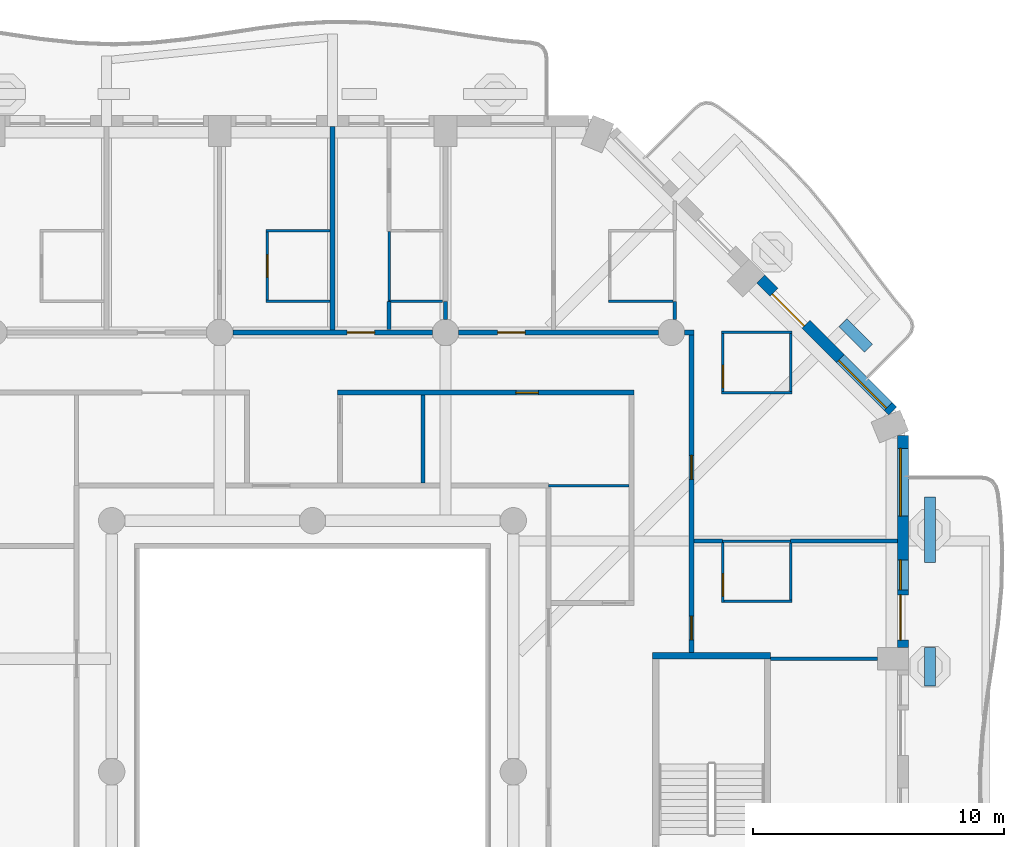
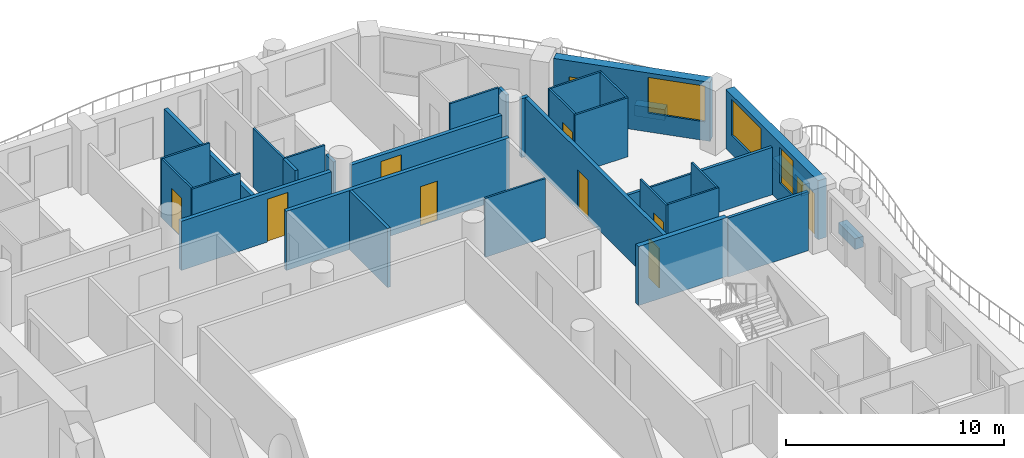
# One storey, part 9 of 20: 34 walls, 10 doors, 3 windows, 13 openings.
"""IFC4 building model written with IfcOpenShell, lengths in metres."""

from ifc_helpers import new_model, si_unit, direction, frame, frame_2d, origin, place, context, subcontext, project, spatial, rectangle, extrude, material, layer, layer_set, type_object, element, fill, save


model = new_model("IFC4")

# Units and contexts
model_context = context("Model", 3, precision=1e-05, world=origin(), true_north=direction((0.0, 1.0)))
body_context = subcontext(model_context, "Body", "Model", "MODEL_VIEW")
ifc_project = project(units=[si_unit("LENGTHUNIT", "METRE"), si_unit("AREAUNIT", "SQUARE_METRE"), si_unit("VOLUMEUNIT", "CUBIC_METRE"), si_unit("PLANEANGLEUNIT", "RADIAN"), si_unit("MASSUNIT", "GRAM", prefix="KILO")], contexts=[model_context])

# Site, building, storey
site_placement = place(None, origin())
site = spatial("IfcSite", under=ifc_project, at=site_placement, CompositionType="ELEMENT")
building_placement = place(site_placement, origin())
building = spatial("IfcBuilding", under=site, at=building_placement, Name="Cypress Arch Tower", CompositionType="ELEMENT")
storey_placement = place(building_placement, frame((0.0, 0.0, 131.10009765625)))
storey = spatial("IfcBuildingStorey", under=building, at=storey_placement, Name="L28", CompositionType="ELEMENT", Elevation=131.10009765625)

# Walls
ifc_material_1 = material(Name="Concrete C40/50, waterproofed", Category="concrete")
ifc_layer_1 = layer(ifc_material_1, 0.449951171875)
ifc_layer_set_1 = layer_set([ifc_layer_1], Name="Balcony planter wall PW450")
wall_type_1 = type_object("IfcWallType", Name="Balcony planter wall PW450", PredefinedType="SOLIDWALL", material=ifc_layer_set_1)
wall_1_placement = place(storey_placement, frame((25.60009765625, 3.42138671875, 0.0), z_axis=(0.0, 0.0, 1.0), x_axis=(0.0, 1.0, 0.0)))
element("IfcWall", 1, at=wall_1_placement, inside=storey, type_object=wall_type_1, Name="Balcony planter wall L28-A06.3", PredefinedType="SOLIDWALL", context=body_context, shape_type="SweptSolid", body=[
    extrude(rectangle(XDim=1.5224609375, YDim=0.449951171875, at=frame_2d((0.76123046875, 0.0))), origin(), (0.0, 0.0, 1.0), 0.599853515625),
])
wall_2_placement = place(storey_placement, frame((25.60009765625, 8.335693359375, 0.0), z_axis=(0.0, 0.0, 1.0), x_axis=(0.0, 1.0, 0.0)))
element("IfcWall", 2, at=wall_2_placement, inside=storey, type_object=wall_type_1, Name="Balcony planter wall L28-A06.4", PredefinedType="SOLIDWALL", context=body_context, shape_type="SweptSolid", body=[
    extrude(rectangle(XDim=2.6142578125, YDim=0.449951171875, at=frame_2d((1.30712890625, 0.0))), origin(), (0.0, 0.0, 1.0), 0.599853515625),
])
wall_3_placement = place(storey_placement, frame((23.150390625, 16.86376953125, 0.0), z_axis=(0.0, 0.0, 1.0), x_axis=(-0.707106781187, 0.707106781187, 0.0)))
element("IfcWall", 3, at=wall_3_placement, inside=storey, type_object=wall_type_1, Name="Balcony planter wall L28-A07.1", PredefinedType="SOLIDWALL", context=body_context, shape_type="SweptSolid", body=[
    extrude(rectangle(XDim=1.44482421875, YDim=0.449951171875, at=frame_2d((0.722412109375, 0.0))), origin(), (0.0, 0.0, 1.0), 0.599853515625),
])

# Wall, openings, door, windows
ifc_material_2 = material(Name="Brick (red buff blend)", Category="masonry")
ifc_layer_2 = layer(ifc_material_2, 0.449951171875)
ifc_layer_set_2 = layer_set([ifc_layer_2], Name="Brick pier and spandrel wall BW450")
wall_type_2 = type_object("IfcWallType", Name="Brick pier and spandrel wall BW450", PredefinedType="SOLIDWALL", material=ifc_layer_set_2)
wall_4_placement = place(storey_placement, frame((24.52490234375, 4.949951171875, 0.0), z_axis=(0.0, 0.0, 1.0), x_axis=(0.0, 1.0, 0.0)))
wall_4 = element("IfcWall", 4, at=wall_4_placement, inside=storey, type_object=wall_type_2, Name="Brick wall L28 A06.3", PredefinedType="SOLIDWALL", context=body_context, shape_type="SweptSolid", body=[
    extrude(rectangle(XDim=8.438720703125, YDim=0.449951171875, at=frame_2d((4.21923828125, 0.0))), origin(), (0.0, 0.0, 1.0), 3.2998046875),
])
opening_1_placement = place(wall_4_placement, frame((0.2939453125, 0.0, 0.0)))
opening_1 = element("IfcOpeningElement", 5, at=opening_1_placement, cuts=wall_4, Name="Opening D-L28-A06.3.1", PredefinedType="OPENING", context=body_context, shape_type="SweptSolid", body=[
    extrude(rectangle(XDim=1.800048828125, YDim=2.39990234375, at=frame_2d((0.89990234375, 1.199951171875))), frame((0.0, 0.23486328125, 0.0), z_axis=(0.0, -1.0, 0.0), x_axis=(1.0, 0.0, 0.0)), (0.0, 0.0, 1.0), 0.469970703125),
])
opening_2_placement = place(wall_4_placement, frame((2.2939453125, 0.0, 1.050048828125)))
opening_2 = element("IfcOpeningElement", 6, at=opening_2_placement, cuts=wall_4, Name="Opening W120HD", PredefinedType="OPENING", context=body_context, shape_type="SweptSolid", body=[
    extrude(rectangle(XDim=1.199951171875, YDim=2.0, at=frame_2d((0.60009765625, 1.0))), frame((0.0, 0.23486328125, 0.0), z_axis=(0.0, -1.0, 0.0), x_axis=(1.0, 0.0, 0.0)), (0.0, 0.0, 1.0), 0.469970703125),
])
opening_3_placement = place(wall_4_placement, frame((5.231689453125, 0.0, 1.050048828125)))
opening_3 = element("IfcOpeningElement", 7, at=opening_3_placement, cuts=wall_4, Name="Opening W270HD", PredefinedType="OPENING", context=body_context, shape_type="SweptSolid", body=[
    extrude(rectangle(XDim=2.699951171875, YDim=2.0, at=frame_2d((1.35009765625, 1.0))), frame((0.0, 0.23486328125, 0.0), z_axis=(0.0, -1.0, 0.0), x_axis=(1.0, 0.0, 0.0)), (0.0, 0.0, 1.0), 0.469970703125),
])
ifc_material_3 = material(Name="Anodised aluminium, bronze finish, laminated low-emissivity double glazing, large-missile impact rated", Category="aluminium")
door_type_1 = type_object("IfcDoorType", Name="Balcony sliding door 1800x2400", OperationType="SLIDING_TO_LEFT", PredefinedType="DOOR", material=ifc_material_3)
door_1_placement = place(opening_1_placement, origin())
door_1 = element("IfcDoor", 8, at=door_1_placement, inside=storey, type_object=door_type_1, Name="Balcony door L28 A06.3.1", OperationType="SLIDING_TO_LEFT", OverallHeight=2.39990234375, OverallWidth=1.800048828125, PredefinedType="DOOR", context=body_context, shape_type="SweptSolid", body=[
    extrude(rectangle(XDim=1.800048828125, YDim=2.39990234375, at=frame_2d((0.89990234375, 1.199951171875))), frame((0.0, 0.1298828125, 0.0), z_axis=(0.0, -1.0, 0.0), x_axis=(1.0, 0.0, 0.0)), (0.0, 0.0, 1.0), 0.050048828125),
])
fill(opening_1, door_1)
ifc_material_4 = material(Name="Anodised aluminium, bronze finish, laminated low-emissivity double glazing, large-missile impact rated", Category="aluminium")
window_type_1 = type_object("IfcWindowType", Name="Window Hotel 1200x2000 debris-rated", PartitioningType="SINGLE_PANEL", PredefinedType="WINDOW", material=ifc_material_4)
window_1_placement = place(opening_2_placement, origin())
window_1 = element("IfcWindow", 9, at=window_1_placement, inside=storey, type_object=window_type_1, Name="Window L28 A06.3.1", OverallHeight=2.0, OverallWidth=1.199951171875, PartitioningType="SINGLE_PANEL", PredefinedType="WINDOW", context=body_context, shape_type="SweptSolid", body=[
    extrude(rectangle(XDim=1.199951171875, YDim=2.0, at=frame_2d((0.60009765625, 1.0))), frame((0.0, 0.135009765625, 0.0), z_axis=(0.0, -1.0, 0.0), x_axis=(1.0, 0.0, 0.0)), (0.0, 0.0, 1.0), 0.06005859375),
])
fill(opening_2, window_1)
ifc_material_5 = material(Name="Anodised aluminium, bronze finish, laminated low-emissivity double glazing, large-missile impact rated", Category="aluminium")
window_type_2 = type_object("IfcWindowType", Name="Window Hotel 2700x2000 debris-rated", PartitioningType="SINGLE_PANEL", PredefinedType="WINDOW", material=ifc_material_5)
window_2_placement = place(opening_3_placement, origin())
window_2 = element("IfcWindow", 10, at=window_2_placement, inside=storey, type_object=window_type_2, Name="Window L28 A06.3.2", OverallHeight=2.0, OverallWidth=2.699951171875, PartitioningType="SINGLE_PANEL", PredefinedType="WINDOW", context=body_context, shape_type="SweptSolid", body=[
    extrude(rectangle(XDim=2.699951171875, YDim=2.0, at=frame_2d((1.35009765625, 1.0))), frame((0.0, 0.135009765625, 0.0), z_axis=(0.0, -1.0, 0.0), x_axis=(1.0, 0.0, 0.0)), (0.0, 0.0, 1.0), 0.06005859375),
])
fill(opening_3, window_2)

# Wall, openings, door, window
wall_5_placement = place(storey_placement, frame((24.11474609375, 14.379150390625, 0.0), z_axis=(0.0, 0.0, 1.0), x_axis=(-0.707106781187, 0.707106781187, 0.0)))
wall_5 = element("IfcWall", 11, at=wall_5_placement, inside=storey, type_object=wall_type_2, Name="Brick wall L28 A07.0", PredefinedType="SOLIDWALL", context=body_context, shape_type="SweptSolid", body=[
    extrude(rectangle(XDim=7.423828125, YDim=0.449951171875, at=frame_2d((3.7119140625, 0.0))), origin(), (0.0, 0.0, 1.0), 3.2998046875),
])
opening_4_placement = place(wall_5_placement, frame((0.253173828125, 0.0, 1.050048828125)))
opening_4 = element("IfcOpeningElement", 12, at=opening_4_placement, cuts=wall_5, Name="Opening W270HD", PredefinedType="OPENING", context=body_context, shape_type="SweptSolid", body=[
    extrude(rectangle(XDim=2.699951171875, YDim=2.0, at=frame_2d((1.35009765625, 1.0))), frame((0.0, 0.23486328125, 0.0), z_axis=(0.0, -1.0, 0.0), x_axis=(1.0, 0.0, 0.0)), (0.0, 0.0, 1.0), 0.469970703125),
])
opening_5_placement = place(wall_5_placement, frame((4.8837890625, 0.0, 0.0)))
opening_5 = element("IfcOpeningElement", 13, at=opening_5_placement, cuts=wall_5, Name="Opening D-L28-A07.0.2", PredefinedType="OPENING", context=body_context, shape_type="SweptSolid", body=[
    extrude(rectangle(XDim=1.800048828125, YDim=2.39990234375, at=frame_2d((0.89990234375, 1.199951171875))), frame((0.0, 0.23486328125, 0.0), z_axis=(0.0, -1.0, 0.0), x_axis=(1.0, 0.0, 0.0)), (0.0, 0.0, 1.0), 0.469970703125),
])
door_2_placement = place(opening_5_placement, origin())
door_2 = element("IfcDoor", 14, at=door_2_placement, inside=storey, type_object=door_type_1, Name="Balcony door L28 A07.0.2", OperationType="SLIDING_TO_LEFT", OverallHeight=2.39990234375, OverallWidth=1.800048828125, PredefinedType="DOOR", context=body_context, shape_type="SweptSolid", body=[
    extrude(rectangle(XDim=1.800048828125, YDim=2.39990234375, at=frame_2d((0.89990234375, 1.199951171875))), frame((0.0, 0.1298828125, 0.0), z_axis=(0.0, -1.0, 0.0), x_axis=(1.0, 0.0, 0.0)), (0.0, 0.0, 1.0), 0.050048828125),
])
fill(opening_5, door_2)
window_3_placement = place(opening_4_placement, origin())
window_3 = element("IfcWindow", 15, at=window_3_placement, inside=storey, type_object=window_type_2, Name="Window L28 A07.0.1", OverallHeight=2.0, OverallWidth=2.699951171875, PartitioningType="SINGLE_PANEL", PredefinedType="WINDOW", context=body_context, shape_type="SweptSolid", body=[
    extrude(rectangle(XDim=2.699951171875, YDim=2.0, at=frame_2d((1.35009765625, 1.0))), frame((0.0, 0.135009765625, 0.0), z_axis=(0.0, -1.0, 0.0), x_axis=(1.0, 0.0, 0.0)), (0.0, 0.0, 1.0), 0.06005859375),
])
fill(opening_4, window_3)

# Wall, opening, door
ifc_material_6 = material(Name="Concrete blockwork, plastered, rated", Category="masonry")
ifc_layer_3 = layer(ifc_material_6, 0.199951171875)
ifc_layer_set_3 = layer_set([ifc_layer_3], Name="Corridor wall FW200")
wall_type_3 = type_object("IfcWallType", Name="Corridor wall FW200", PredefinedType="PARTITIONING", material=ifc_layer_set_3)
wall_6_placement = place(storey_placement, frame((-2.175048828125, 17.5, 0.0), z_axis=(0.0, 0.0, 1.0), x_axis=(1.0, 0.0, 0.0)))
wall_6 = element("IfcWall", 16, at=wall_6_placement, inside=storey, type_object=wall_type_3, Name="Corridor wall", PredefinedType="PARTITIONING", context=body_context, shape_type="SweptSolid", body=[
    extrude(rectangle(XDim=7.949951171875, YDim=0.199951171875, at=frame_2d((3.97509765625, 0.0))), origin(), (0.0, 0.0, 1.0), 2.75),
])
opening_6_placement = place(wall_6_placement, frame((4.550048828125, 0.0, 0.0)))
opening_6 = element("IfcOpeningElement", 17, at=opening_6_placement, cuts=wall_6, Name="Opening D01", PredefinedType="OPENING", context=body_context, shape_type="SweptSolid", body=[
    extrude(rectangle(XDim=1.10009765625, YDim=2.39990234375, at=frame_2d((0.550048828125, 1.199951171875))), frame((0.0, 0.10986328125, 0.0), z_axis=(0.0, -1.0, 0.0), x_axis=(1.0, 0.0, 0.0)), (0.0, 0.0, 1.0), 0.219970703125),
])
ifc_material_7 = material(Name="Timber flush door, fire resisting, self-closing", Category="wood")
door_type_2 = type_object("IfcDoorType", Name="Unit entrance door D01 1100x2400", OperationType="SINGLE_SWING_LEFT", PredefinedType="DOOR", material=ifc_material_7)
door_3_placement = place(opening_6_placement, origin())
door_3 = element("IfcDoor", 18, at=door_3_placement, inside=storey, type_object=door_type_2, Name="Unit entrance door", OperationType="SINGLE_SWING_LEFT", OverallHeight=2.39990234375, OverallWidth=1.10009765625, PredefinedType="DOOR", context=body_context, shape_type="SweptSolid", body=[
    extrude(rectangle(XDim=1.10009765625, YDim=2.39990234375, at=frame_2d((0.550048828125, 1.199951171875))), frame((0.0, 0.02490234375, 0.0), z_axis=(0.0, -1.0, 0.0), x_axis=(1.0, 0.0, 0.0)), (0.0, 0.0, 1.0), 0.050048828125),
])
fill(opening_6, door_3)

wall_7_placement = place(storey_placement, frame((6.824951171875, 17.5, 0.0), z_axis=(0.0, 0.0, 1.0), x_axis=(1.0, 0.0, 0.0)))
wall_7 = element("IfcWall", 19, at=wall_7_placement, inside=storey, type_object=wall_type_3, Name="Corridor wall", PredefinedType="PARTITIONING", context=body_context, shape_type="SweptSolid", body=[
    extrude(rectangle(XDim=7.949951171875, YDim=0.199951171875, at=frame_2d((3.97509765625, 0.0))), origin(), (0.0, 0.0, 1.0), 2.75),
])
opening_7_placement = place(wall_7_placement, frame((1.550048828125, 0.0, 0.0)))
opening_7 = element("IfcOpeningElement", 20, at=opening_7_placement, cuts=wall_7, Name="Opening D01", PredefinedType="OPENING", context=body_context, shape_type="SweptSolid", body=[
    extrude(rectangle(XDim=1.10009765625, YDim=2.39990234375, at=frame_2d((0.550048828125, 1.199951171875))), frame((0.0, 0.10986328125, 0.0), z_axis=(0.0, -1.0, 0.0), x_axis=(1.0, 0.0, 0.0)), (0.0, 0.0, 1.0), 0.219970703125),
])
door_4_placement = place(opening_7_placement, origin())
door_4 = element("IfcDoor", 21, at=door_4_placement, inside=storey, type_object=door_type_2, Name="Unit entrance door", OperationType="SINGLE_SWING_RIGHT", OverallHeight=2.39990234375, OverallWidth=1.10009765625, PredefinedType="DOOR", context=body_context, shape_type="SweptSolid", body=[
    extrude(rectangle(XDim=1.10009765625, YDim=2.39990234375, at=frame_2d((0.550048828125, 1.199951171875))), frame((0.0, 0.02490234375, 0.0), z_axis=(0.0, -1.0, 0.0), x_axis=(1.0, 0.0, 0.0)), (0.0, 0.0, 1.0), 0.050048828125),
])
fill(opening_7, door_4)

# Wall
wall_8_placement = place(storey_placement, frame((15.824951171875, 17.5, 0.0), z_axis=(0.0, 0.0, 1.0), x_axis=(1.0, 0.0, 0.0)))
element("IfcWall", 22, at=wall_8_placement, inside=storey, type_object=wall_type_3, Name="Corridor wall", PredefinedType="PARTITIONING", context=body_context, shape_type="SweptSolid", body=[
    extrude(rectangle(XDim=0.375, YDim=0.199951171875, at=frame_2d((0.1875, 0.0))), origin(), (0.0, 0.0, 1.0), 3.2998046875),
])

# Wall, opening, door
wall_9_placement = place(storey_placement, frame((2.0, 15.10009765625, 0.0), z_axis=(0.0, 0.0, 1.0), x_axis=(1.0, 0.0, 0.0)))
wall_9 = element("IfcWall", 23, at=wall_9_placement, inside=storey, type_object=wall_type_3, Name="Corridor wall", PredefinedType="PARTITIONING", context=body_context, shape_type="SweptSolid", body=[
    extrude(rectangle(XDim=11.800048828125, YDim=0.199951171875, at=frame_2d((5.89990234375, 0.0))), origin(), (0.0, 0.0, 1.0), 3.2998046875),
])
opening_8_placement = place(wall_9_placement, frame((7.10009765625, 0.0, 0.0)))
opening_8 = element("IfcOpeningElement", 24, at=opening_8_placement, cuts=wall_9, Name="Opening D05", PredefinedType="OPENING", context=body_context, shape_type="SweptSolid", body=[
    extrude(rectangle(XDim=0.89990234375, YDim=2.199951171875, at=frame_2d((0.449951171875, 1.10009765625))), frame((0.0, 0.10986328125, 0.0), z_axis=(0.0, -1.0, 0.0), x_axis=(1.0, 0.0, 0.0)), (0.0, 0.0, 1.0), 0.219970703125),
])
ifc_material_8 = material(Name="Timber flush door", Category="wood")
door_type_3 = type_object("IfcDoorType", Name="Service door D05 900x2200", OperationType="SINGLE_SWING_LEFT", PredefinedType="DOOR", material=ifc_material_8)
door_5_placement = place(opening_8_placement, origin())
door_5 = element("IfcDoor", 25, at=door_5_placement, inside=storey, type_object=door_type_3, Name="Service door", OperationType="SINGLE_SWING_LEFT", OverallHeight=2.199951171875, OverallWidth=0.89990234375, PredefinedType="DOOR", context=body_context, shape_type="SweptSolid", body=[
    extrude(rectangle(XDim=0.89990234375, YDim=2.199951171875, at=frame_2d((0.449951171875, 1.10009765625))), frame((0.0, 0.02490234375, 0.0), z_axis=(0.0, -1.0, 0.0), x_axis=(1.0, 0.0, 0.0)), (0.0, 0.0, 1.0), 0.050048828125),
])
fill(opening_8, door_5)

# Wall, openings, doors
wall_10_placement = place(storey_placement, frame((16.10009765625, 4.75, 0.0), z_axis=(0.0, 0.0, 1.0), x_axis=(0.0, 1.0, 0.0)))
wall_10 = element("IfcWall", 26, at=wall_10_placement, inside=storey, type_object=wall_type_3, Name="Corridor wall", PredefinedType="PARTITIONING", context=body_context, shape_type="SweptSolid", body=[
    extrude(rectangle(XDim=12.64990234375, YDim=0.199951171875, at=frame_2d((6.324951171875, 0.0))), origin(), (0.0, 0.0, 1.0), 3.2998046875),
])
opening_9_placement = place(wall_10_placement, frame((0.5, 0.0, 0.0)))
opening_9 = element("IfcOpeningElement", 27, at=opening_9_placement, cuts=wall_10, Name="Opening D02", PredefinedType="OPENING", context=body_context, shape_type="SweptSolid", body=[
    extrude(rectangle(XDim=0.949951171875, YDim=2.199951171875, at=frame_2d((0.47509765625, 1.10009765625))), frame((0.0, 0.10986328125, 0.0), z_axis=(0.0, -1.0, 0.0), x_axis=(1.0, 0.0, 0.0)), (0.0, 0.0, 1.0), 0.219970703125),
])
opening_10_placement = place(wall_10_placement, frame((6.89990234375, 0.0, 0.0)))
opening_10 = element("IfcOpeningElement", 28, at=opening_10_placement, cuts=wall_10, Name="Opening D02", PredefinedType="OPENING", context=body_context, shape_type="SweptSolid", body=[
    extrude(rectangle(XDim=0.949951171875, YDim=2.199951171875, at=frame_2d((0.47509765625, 1.10009765625))), frame((0.0, 0.10986328125, 0.0), z_axis=(0.0, -1.0, 0.0), x_axis=(1.0, 0.0, 0.0)), (0.0, 0.0, 1.0), 0.219970703125),
])
ifc_material_9 = material(Name="Timber flush door, fire resisting", Category="wood")
door_type_4 = type_object("IfcDoorType", Name="Room door D02 950x2200", OperationType="SINGLE_SWING_LEFT", PredefinedType="DOOR", material=ifc_material_9)
door_6_placement = place(opening_9_placement, origin())
door_6 = element("IfcDoor", 29, at=door_6_placement, inside=storey, type_object=door_type_4, Name="Room door", OperationType="SINGLE_SWING_RIGHT", OverallHeight=2.199951171875, OverallWidth=0.949951171875, PredefinedType="DOOR", context=body_context, shape_type="SweptSolid", body=[
    extrude(rectangle(XDim=0.949951171875, YDim=2.199951171875, at=frame_2d((0.47509765625, 1.10009765625))), frame((0.0, 0.02490234375, 0.0), z_axis=(0.0, -1.0, 0.0), x_axis=(1.0, 0.0, 0.0)), (0.0, 0.0, 1.0), 0.050048828125),
])
fill(opening_9, door_6)
door_7_placement = place(opening_10_placement, origin())
door_7 = element("IfcDoor", 30, at=door_7_placement, inside=storey, type_object=door_type_4, Name="Room door", OperationType="SINGLE_SWING_RIGHT", OverallHeight=2.199951171875, OverallWidth=0.949951171875, PredefinedType="DOOR", context=body_context, shape_type="SweptSolid", body=[
    extrude(rectangle(XDim=0.949951171875, YDim=2.199951171875, at=frame_2d((0.47509765625, 1.10009765625))), frame((0.0, 0.02490234375, 0.0), z_axis=(0.0, -1.0, 0.0), x_axis=(1.0, 0.0, 0.0)), (0.0, 0.0, 1.0), 0.050048828125),
])
fill(opening_10, door_7)

# Walls
ifc_material_10 = material(Name="Blockwork, plastered both sides", Category="masonry")
ifc_layer_4 = layer(ifc_material_10, 0.14990234375)
ifc_layer_set_4 = layer_set([ifc_layer_4], Name="Partition PW150")
wall_type_4 = type_object("IfcWallType", Name="Partition PW150", PredefinedType="PARTITIONING", material=ifc_layer_set_4)
wall_11_placement = place(storey_placement, frame((4.050048828125, 17.6201171875, 0.0), z_axis=(0.0, 0.0, 1.0), x_axis=(0.0, 1.0, 0.0)))
element("IfcWall", 31, at=wall_11_placement, inside=storey, type_object=wall_type_4, Name="Partition", PredefinedType="PARTITIONING", context=body_context, shape_type="SweptSolid", body=[
    extrude(rectangle(XDim=1.10986328125, YDim=0.14990234375, at=frame_2d((0.554931640625, 0.0))), origin(), (0.0, 0.0, 1.0), 3.2998046875),
])
wall_12_placement = place(storey_placement, frame((5.39990234375, 11.5, 0.0), z_axis=(0.0, 0.0, 1.0), x_axis=(0.0, 1.0, 0.0)))
element("IfcWall", 32, at=wall_12_placement, inside=storey, type_object=wall_type_4, Name="Partition", PredefinedType="PARTITIONING", context=body_context, shape_type="SweptSolid", body=[
    extrude(rectangle(XDim=3.5, YDim=0.14990234375, at=frame_2d((1.75, 0.0))), origin(), (0.0, 0.0, 1.0), 3.2998046875),
])
wall_13_placement = place(storey_placement, frame((6.300048828125, 18.02490234375, 0.0), z_axis=(0.0, 0.0, 1.0), x_axis=(0.0, 1.0, 0.0)))
element("IfcWall", 33, at=wall_13_placement, inside=storey, type_object=wall_type_4, Name="Partition", PredefinedType="PARTITIONING", context=body_context, shape_type="SweptSolid", body=[
    extrude(rectangle(XDim=0.705078125, YDim=0.14990234375, at=frame_2d((0.3525390625, 0.0))), origin(), (0.0, 0.0, 1.0), 2.75),
])
wall_14_placement = place(storey_placement, frame((15.431884765625, 18.015869140625, 0.0), z_axis=(0.0, 0.0, 1.0), x_axis=(0.0, 1.0, 0.0)))
element("IfcWall", 34, at=wall_14_placement, inside=storey, type_object=wall_type_4, Name="Partition", PredefinedType="PARTITIONING", context=body_context, shape_type="SweptSolid", body=[
    extrude(rectangle(XDim=0.714111328125, YDim=0.14990234375, at=frame_2d((0.35693359375, 0.0))), origin(), (0.0, 0.0, 1.0), 3.2998046875),
])
wall_15_placement = place(storey_placement, frame((16.199951171875, 9.18994140625, 0.0), z_axis=(0.0, 0.0, 1.0), x_axis=(1.0, 0.0, 0.0)))
element("IfcWall", 35, at=wall_15_placement, inside=storey, type_object=wall_type_4, Name="Partition", PredefinedType="PARTITIONING", context=body_context, shape_type="SweptSolid", body=[
    extrude(rectangle(XDim=1.130126953125, YDim=0.14990234375, at=frame_2d((0.56494140625, 0.0))), origin(), (0.0, 0.0, 1.0), 2.64990234375),
])
wall_16_placement = place(storey_placement, frame((19.25, 4.5, 0.0), z_axis=(0.0, 0.0, 1.0), x_axis=(1.0, 0.0, 0.0)))
element("IfcWall", 36, at=wall_16_placement, inside=storey, type_object=wall_type_4, Name="Partition", PredefinedType="PARTITIONING", context=body_context, shape_type="SweptSolid", body=[
    extrude(rectangle(XDim=4.25, YDim=0.14990234375, at=frame_2d((2.125, 0.0))), origin(), (0.0, 0.0, 1.0), 3.2998046875),
])
wall_17_placement = place(storey_placement, frame((20.050048828125, 9.18994140625, 0.0), z_axis=(0.0, 0.0, 1.0), x_axis=(1.0, 0.0, 0.0)))
element("IfcWall", 37, at=wall_17_placement, inside=storey, type_object=wall_type_4, Name="Partition", PredefinedType="PARTITIONING", context=body_context, shape_type="SweptSolid", body=[
    extrude(rectangle(XDim=4.25, YDim=0.14990234375, at=frame_2d((2.125, 0.0))), origin(), (0.0, 0.0, 1.0), 2.64990234375),
])
ifc_material_11 = material(Name="Dense blockwork, plastered both sides, acoustic and rated", Category="masonry")
ifc_layer_5 = layer(ifc_material_11, 0.199951171875)
ifc_layer_set_5 = layer_set([ifc_layer_5], Name="Party wall PW200")
wall_type_5 = type_object("IfcWallType", Name="Party wall PW200", PredefinedType="PARTITIONING", material=ifc_layer_set_5)
wall_18_placement = place(storey_placement, frame((1.800048828125, 17.60009765625, 0.0), z_axis=(0.0, 0.0, 1.0), x_axis=(0.0, 1.0, 0.0)))
element("IfcWall", 38, at=wall_18_placement, inside=storey, type_object=wall_type_5, Name="Party wall", PredefinedType="PARTITIONING", context=body_context, shape_type="SweptSolid", body=[
    extrude(rectangle(XDim=8.099853515625, YDim=0.199951171875, at=frame_2d((4.0498046875, 0.0))), origin(), (0.0, 0.0, 1.0), 2.64990234375),
])
ifc_material_12 = material(Name="Concrete C50/60", Category="concrete")
ifc_layer_6 = layer(ifc_material_12, 0.25)
ifc_layer_set_6 = layer_set([ifc_layer_6], Name="Stair enclosure wall SW250")
wall_type_6 = type_object("IfcWallType", Name="Stair enclosure wall SW250", PredefinedType="SHEAR", material=ifc_layer_set_6)
wall_19_placement = place(storey_placement, frame((14.550048828125, 4.625, 0.0), z_axis=(0.0, 0.0, 1.0), x_axis=(1.0, 0.0, 0.0)))
element("IfcWall", 39, at=wall_19_placement, inside=storey, type_object=wall_type_6, Name="Stair enclosure wall", PredefinedType="SHEAR", context=body_context, shape_type="SweptSolid", body=[
    extrude(rectangle(XDim=4.699951171875, YDim=0.25, at=frame_2d((2.35009765625, 0.0))), origin(), (0.0, 0.0, 1.0), 3.2998046875),
])

# Wall, opening, door
ifc_material_13 = material(Name="Moisture resistant board on steel studs, tiled", Category="steel")
ifc_layer_7 = layer(ifc_material_13, 0.10009765625)
ifc_layer_set_7 = layer_set([ifc_layer_7], Name="Wet wall PW100")
wall_type_7 = type_object("IfcWallType", Name="Wet wall PW100", PredefinedType="PARTITIONING", material=ifc_layer_set_7)
wall_20_placement = place(storey_placement, frame((-0.7958984375, 18.800048828125, 0.0), z_axis=(0.0, 0.0, 1.0), x_axis=(0.0, 1.0, 0.0)))
wall_20 = element("IfcWall", 40, at=wall_20_placement, inside=storey, type_object=wall_type_7, Name="Wet wall", PredefinedType="PARTITIONING", context=body_context, shape_type="SweptSolid", body=[
    extrude(rectangle(XDim=2.699951171875, YDim=0.10009765625, at=frame_2d((1.35009765625, 0.0))), origin(), (0.0, 0.0, 1.0), 3.2998046875),
])
opening_11_placement = place(wall_20_placement, frame((0.89990234375, 0.0, 0.0)))
opening_11 = element("IfcOpeningElement", 41, at=opening_11_placement, cuts=wall_20, Name="Opening D03", PredefinedType="OPENING", context=body_context, shape_type="SweptSolid", body=[
    extrude(rectangle(XDim=0.89990234375, YDim=2.199951171875, at=frame_2d((0.449951171875, 1.10009765625))), frame((0.0, 0.06005859375, 0.0), z_axis=(0.0, -1.0, 0.0), x_axis=(1.0, 0.0, 0.0)), (0.0, 0.0, 1.0), 0.1201171875),
])
ifc_material_14 = material(Name="Timber flush door, moisture resistant", Category="wood")
door_type_5 = type_object("IfcDoorType", Name="Bathroom door D03 900x2200", OperationType="SINGLE_SWING_LEFT", PredefinedType="DOOR", material=ifc_material_14)
door_8_placement = place(opening_11_placement, origin())
door_8 = element("IfcDoor", 42, at=door_8_placement, inside=storey, type_object=door_type_5, Name="Bathroom door", OperationType="SINGLE_SWING_LEFT", OverallHeight=2.199951171875, OverallWidth=0.89990234375, PredefinedType="DOOR", context=body_context, shape_type="SweptSolid", body=[
    extrude(rectangle(XDim=0.89990234375, YDim=2.199951171875, at=frame_2d((0.449951171875, 1.10009765625))), frame((0.0, 0.02490234375, 0.0), z_axis=(0.0, -1.0, 0.0), x_axis=(1.0, 0.0, 0.0)), (0.0, 0.0, 1.0), 0.050048828125),
])
fill(opening_11, door_8)

# Walls
for number, where, z_axis, x_axis, name in (
    (43, (-0.845947265625, 18.75, 0.0), (0.0, 0.0, 1.0), (1.0, 0.0, 0.0), "Wet wall"),
    (44, (-0.845947265625, 21.550048828125, 0.0), (0.0, 0.0, 1.0), (1.0, 0.0, 0.0), "Wet wall"),
):
    element("IfcWall", number, at=place(storey_placement, frame(where, z_axis=z_axis, x_axis=x_axis)), inside=storey, type_object=wall_type_7, Name=name, PredefinedType="PARTITIONING", context=body_context, shape_type="SweptSolid", body=[
        extrude(rectangle(XDim=2.5458984375, YDim=0.10009765625, at=frame_2d((1.27294921875, 0.0))), origin(), (0.0, 0.0, 1.0), 3.2998046875),
    ])
wall_21_placement = place(storey_placement, frame((4.050048828125, 18.72998046875, 0.0), z_axis=(0.0, 0.0, 1.0), x_axis=(0.0, 1.0, 0.0)))
element("IfcWall", 45, at=wall_21_placement, inside=storey, type_object=wall_type_7, Name="Wet wall", PredefinedType="PARTITIONING", context=body_context, shape_type="SweptSolid", body=[
    extrude(rectangle(XDim=2.800048828125, YDim=0.10009765625, at=frame_2d((1.39990234375, 0.0))), origin(), (0.0, 0.0, 1.0), 3.2998046875),
])
wall_22_placement = place(storey_placement, frame((4.070068359375, 18.75, 0.0), z_axis=(0.0, 0.0, 1.0), x_axis=(1.0, 0.0, 0.0)))
element("IfcWall", 46, at=wall_22_placement, inside=storey, type_object=wall_type_7, Name="Wet wall", PredefinedType="PARTITIONING", context=body_context, shape_type="SweptSolid", body=[
    extrude(rectangle(XDim=2.10986328125, YDim=0.10009765625, at=frame_2d((1.054931640625, 0.0))), origin(), (0.0, 0.0, 1.0), 3.2998046875),
])
wall_23_placement = place(storey_placement, frame((10.39990234375, 11.39990234375, 0.0), z_axis=(0.0, 0.0, 1.0), x_axis=(1.0, 0.0, 0.0)))
element("IfcWall", 47, at=wall_23_placement, inside=storey, type_object=wall_type_7, Name="Wet wall", PredefinedType="PARTITIONING", context=body_context, shape_type="SweptSolid", body=[
    extrude(rectangle(XDim=3.2001953125, YDim=0.10009765625, at=frame_2d((1.60009765625, 0.0))), origin(), (0.0, 0.0, 1.0), 3.2998046875),
])
wall_24_placement = place(storey_placement, frame((12.785888671875, 18.75, 0.0), z_axis=(0.0, 0.0, 1.0), x_axis=(1.0, 0.0, 0.0)))
element("IfcWall", 48, at=wall_24_placement, inside=storey, type_object=wall_type_7, Name="Wet wall", PredefinedType="PARTITIONING", context=body_context, shape_type="SweptSolid", body=[
    extrude(rectangle(XDim=2.571044921875, YDim=0.10009765625, at=frame_2d((1.28564453125, 0.0))), origin(), (0.0, 0.0, 1.0), 3.2998046875),
])
wall_25_placement = place(storey_placement, frame((17.330078125, 9.18994140625, 0.0), z_axis=(0.0, 0.0, 1.0), x_axis=(1.0, 0.0, 0.0)))
element("IfcWall", 49, at=wall_25_placement, inside=storey, type_object=wall_type_7, Name="Wet wall", PredefinedType="PARTITIONING", context=body_context, shape_type="SweptSolid", body=[
    extrude(rectangle(XDim=2.719970703125, YDim=0.10009765625, at=frame_2d((1.35986328125, 0.0))), origin(), (0.0, 0.0, 1.0), 2.64990234375),
])

# Wall, opening, door
wall_26_placement = place(storey_placement, frame((17.35009765625, 9.139892578125, 0.0), z_axis=(0.0, 0.0, 1.0), x_axis=(0.000407580973, -0.999999916939, 0.0)))
wall_26 = element("IfcWall", 50, at=wall_26_placement, inside=storey, type_object=wall_type_7, Name="Wet wall", PredefinedType="PARTITIONING", context=body_context, shape_type="SweptSolid", body=[
    extrude(rectangle(XDim=2.39599609375, YDim=0.10009765625, at=frame_2d((1.197998046875, 0.0))), origin(), (0.0, 0.0, 1.0), 3.2998046875),
])
opening_12_placement = place(wall_26_placement, frame((1.25, 0.0, 0.0)))
opening_12 = element("IfcOpeningElement", 51, at=opening_12_placement, cuts=wall_26, Name="Opening D03", PredefinedType="OPENING", context=body_context, shape_type="SweptSolid", body=[
    extrude(rectangle(XDim=0.89990234375, YDim=2.199951171875, at=frame_2d((0.449951171875, 1.10009765625))), frame((0.0, 0.06005859375, 0.0), z_axis=(0.0, -1.0, 0.0), x_axis=(1.0, 0.0, 0.0)), (0.0, 0.0, 1.0), 0.1201171875),
])
door_9_placement = place(opening_12_placement, origin())
door_9 = element("IfcDoor", 52, at=door_9_placement, inside=storey, type_object=door_type_5, Name="Bathroom door", OperationType="SINGLE_SWING_RIGHT", OverallHeight=2.199951171875, OverallWidth=0.89990234375, PredefinedType="DOOR", context=body_context, shape_type="SweptSolid", body=[
    extrude(rectangle(XDim=0.89990234375, YDim=2.199951171875, at=frame_2d((0.449951171875, 1.10009765625))), frame((0.0, 0.02490234375, 0.0), z_axis=(0.0, -1.0, 0.0), x_axis=(1.0, 0.0, 0.0)), (0.0, 0.0, 1.0), 0.050048828125),
])
fill(opening_12, door_9)

wall_27_placement = place(storey_placement, frame((17.35009765625, 15.14990234375, 0.0), z_axis=(0.0, 0.0, 1.0), x_axis=(0.0, 1.0, 0.0)))
wall_27 = element("IfcWall", 53, at=wall_27_placement, inside=storey, type_object=wall_type_7, Name="Wet wall", PredefinedType="PARTITIONING", context=body_context, shape_type="SweptSolid", body=[
    extrude(rectangle(XDim=2.300048828125, YDim=0.10009765625, at=frame_2d((1.14990234375, 0.0))), origin(), (0.0, 0.0, 1.0), 3.2998046875),
])
opening_13_placement = place(wall_27_placement, frame((0.14990234375, 0.0, 0.0)))
opening_13 = element("IfcOpeningElement", 54, at=opening_13_placement, cuts=wall_27, Name="Opening D03", PredefinedType="OPENING", context=body_context, shape_type="SweptSolid", body=[
    extrude(rectangle(XDim=0.89990234375, YDim=2.199951171875, at=frame_2d((0.449951171875, 1.10009765625))), frame((0.0, 0.06005859375, 0.0), z_axis=(0.0, -1.0, 0.0), x_axis=(1.0, 0.0, 0.0)), (0.0, 0.0, 1.0), 0.1201171875),
])
door_10_placement = place(opening_13_placement, origin())
door_10 = element("IfcDoor", 55, at=door_10_placement, inside=storey, type_object=door_type_5, Name="Bathroom door", OperationType="SINGLE_SWING_RIGHT", OverallHeight=2.199951171875, OverallWidth=0.89990234375, PredefinedType="DOOR", context=body_context, shape_type="SweptSolid", body=[
    extrude(rectangle(XDim=0.89990234375, YDim=2.199951171875, at=frame_2d((0.449951171875, 1.10009765625))), frame((0.0, 0.02490234375, 0.0), z_axis=(0.0, -1.0, 0.0), x_axis=(1.0, 0.0, 0.0)), (0.0, 0.0, 1.0), 0.050048828125),
])
fill(opening_13, door_10)

# Walls
for number, where, z_axis, x_axis, name in (
    (56, (17.300048828125, 15.10009765625, 0.0), (0.0, 0.0, 1.0), (1.0, 0.0, 0.0), "Wet wall"),
    (57, (17.300048828125, 17.5, 0.0), (0.0, 0.0, 1.0), (1.0, 0.0, 0.0), "Wet wall"),
):
    element("IfcWall", number, at=place(storey_placement, frame(where, z_axis=z_axis, x_axis=x_axis)), inside=storey, type_object=wall_type_7, Name=name, PredefinedType="PARTITIONING", context=body_context, shape_type="SweptSolid", body=[
        extrude(rectangle(XDim=2.800048828125, YDim=0.10009765625, at=frame_2d((1.39990234375, 0.0))), origin(), (0.0, 0.0, 1.0), 3.2998046875),
    ])
wall_28_placement = place(storey_placement, frame((17.40087890625, 6.7939453125, 0.0), z_axis=(0.0, 0.0, 1.0), x_axis=(0.9999999346, 0.000361663629, 0.0)))
element("IfcWall", 58, at=wall_28_placement, inside=storey, type_object=wall_type_7, Name="Wet wall", PredefinedType="PARTITIONING", context=body_context, shape_type="SweptSolid", body=[
    extrude(rectangle(XDim=2.7001953125, YDim=0.10009765625, at=frame_2d((1.35009765625, 0.0))), origin(), (0.0, 0.0, 1.0), 3.2998046875),
])
wall_29_placement = place(storey_placement, frame((20.050048828125, 9.114990234375, 0.0), z_axis=(0.0, 0.0, 1.0), x_axis=(0.000430200003, -0.999999907464, 0.0)))
element("IfcWall", 59, at=wall_29_placement, inside=storey, type_object=wall_type_7, Name="Wet wall", PredefinedType="PARTITIONING", context=body_context, shape_type="SweptSolid", body=[
    extrude(rectangle(XDim=2.27001953125, YDim=0.10009765625, at=frame_2d((1.135009765625, 0.0))), origin(), (0.0, 0.0, 1.0), 3.2998046875),
])
wall_30_placement = place(storey_placement, frame((20.050048828125, 15.14990234375, 0.0), z_axis=(0.0, 0.0, 1.0), x_axis=(0.0, 1.0, 0.0)))
element("IfcWall", 60, at=wall_30_placement, inside=storey, type_object=wall_type_7, Name="Wet wall", PredefinedType="PARTITIONING", context=body_context, shape_type="SweptSolid", body=[
    extrude(rectangle(XDim=2.300048828125, YDim=0.10009765625, at=frame_2d((1.14990234375, 0.0))), origin(), (0.0, 0.0, 1.0), 3.2998046875),
])

save(model, "model.ifc")
